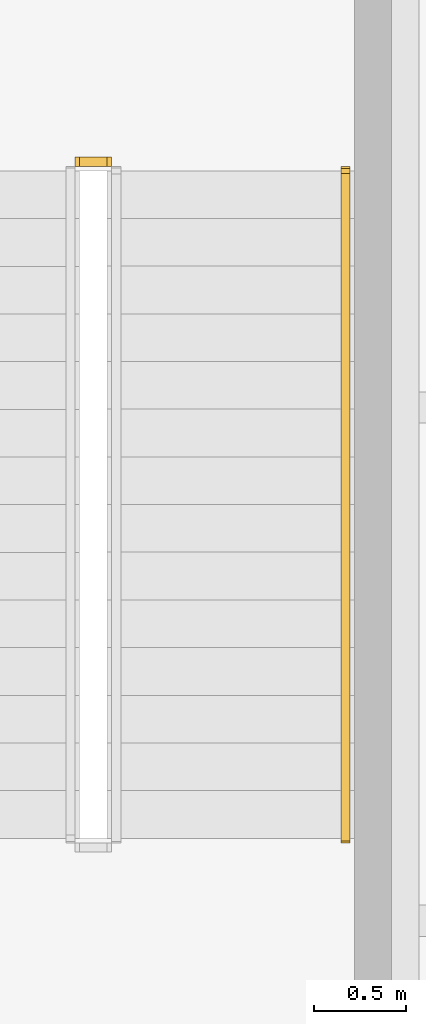
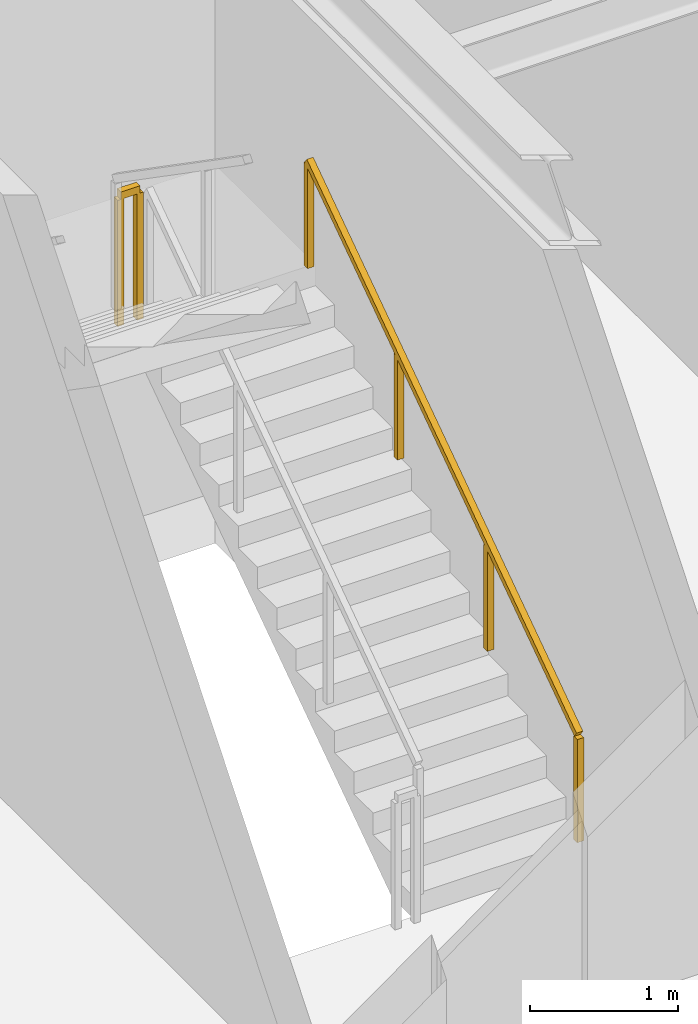
# One storey, part 35 of 36: 2 railings.
"""IFC4 building model written with IfcOpenShell, lengths in metres."""

from ifc_helpers import new_model, si_unit, direction, frame, origin, origin_2d, place, context, subcontext, project, spatial, rectangle, extrude, material, type_object, element, save


model = new_model("IFC4")

# Units and contexts
model_context = context("Model", 3, precision=1e-05, world=origin(), true_north=direction((0.0, 1.0)))
body_context = subcontext(model_context, "Body", "Model", "MODEL_VIEW")
ifc_project = project(units=[si_unit("LENGTHUNIT", "METRE"), si_unit("AREAUNIT", "SQUARE_METRE"), si_unit("VOLUMEUNIT", "CUBIC_METRE"), si_unit("PLANEANGLEUNIT", "RADIAN"), si_unit("MASSUNIT", "GRAM", prefix="KILO")], contexts=[model_context])

# Site, building, storey
site_placement = place(None, origin())
site = spatial("IfcSite", under=ifc_project, at=site_placement, CompositionType="ELEMENT")
building_placement = place(site_placement, origin())
building = spatial("IfcBuilding", under=site, at=building_placement, Name="Khepri Terraces", CompositionType="ELEMENT")
storey_placement = place(building_placement, frame((0.0, 0.0, 16.800048828125)))
storey = spatial("IfcBuildingStorey", under=building, at=storey_placement, Name="L03", CompositionType="ELEMENT", Elevation=16.800048828125)

# Railings
ifc_material = material(Name="Stainless steel 316", Category="steel")
railing_type_1 = type_object("IfcRailingType", Name="RL-POD-GUARD", PredefinedType="GUARDRAIL", material=ifc_material)
railing_1_placement = place(storey_placement, frame((23.64990234375, 23.739990234375, 2.699951171875)))
element("IfcRailing", 1, at=railing_1_placement, inside=storey, type_object=railing_type_1, Name="L03 PS-1 stair guard 2", PredefinedType="GUARDRAIL", context=body_context, shape_type="SweptSolid", body=[
    extrude(rectangle(XDim=0.050048828125, YDim=0.06005859375, at=origin_2d()), frame((0.0, 0.0, 1.070068359375), z_axis=(-1.0, 0.0, 0.0), x_axis=(0.0, -1.0, 0.0)), (0.0, 0.0, 1.0), 0.14990234375),
    extrude(rectangle(XDim=0.050048828125, YDim=0.050048828125, at=origin_2d()), origin(), (0.0, 0.0, 1.0), 1.0400390625),
    extrude(rectangle(XDim=0.050048828125, YDim=0.050048828125, at=origin_2d()), frame((-0.14990234375, 0.0, 0.0)), (0.0, 0.0, 1.0), 1.0400390625),
])
railing_type_2 = type_object("IfcRailingType", Name="RL-POD-HANDRAIL", PredefinedType="HANDRAIL", material=ifc_material)
railing_2_placement = place(storey_placement, frame((24.949951171875, 20.050048828125, 0.179931640625)))
element("IfcRailing", 2, at=railing_2_placement, inside=storey, type_object=railing_type_2, Name="L03 PS-1 stair handrail 1", PredefinedType="HANDRAIL", context=body_context, shape_type="SweptSolid", body=[
    extrude(rectangle(XDim=0.050048828125, YDim=0.050048828125, at=origin_2d()), frame((0.0, 0.0, 0.875), z_axis=(0.0, 0.822182265111, 0.569224316888), x_axis=(-1.0, 0.0, 0.0)), (0.0, 0.0, 1.0), 4.427001953125),
    extrude(rectangle(XDim=0.050048828125, YDim=0.050048828125, at=origin_2d()), origin(), (0.0, 0.0, 1.0), 0.849853515625),
    extrude(rectangle(XDim=0.050048828125, YDim=0.050048828125, at=origin_2d()), frame((0.0, 1.21337890625, 0.840087890625)), (0.0, 0.0, 1.0), 0.849853515625),
    extrude(rectangle(XDim=0.050048828125, YDim=0.050048828125, at=origin_2d()), frame((0.0, 2.426513671875, 1.679931640625)), (0.0, 0.0, 1.0), 0.849853515625),
    extrude(rectangle(XDim=0.050048828125, YDim=0.050048828125, at=origin_2d()), frame((0.0, 3.639892578125, 2.52001953125)), (0.0, 0.0, 1.0), 0.849853515625),
])

save(model, "model.ifc")
